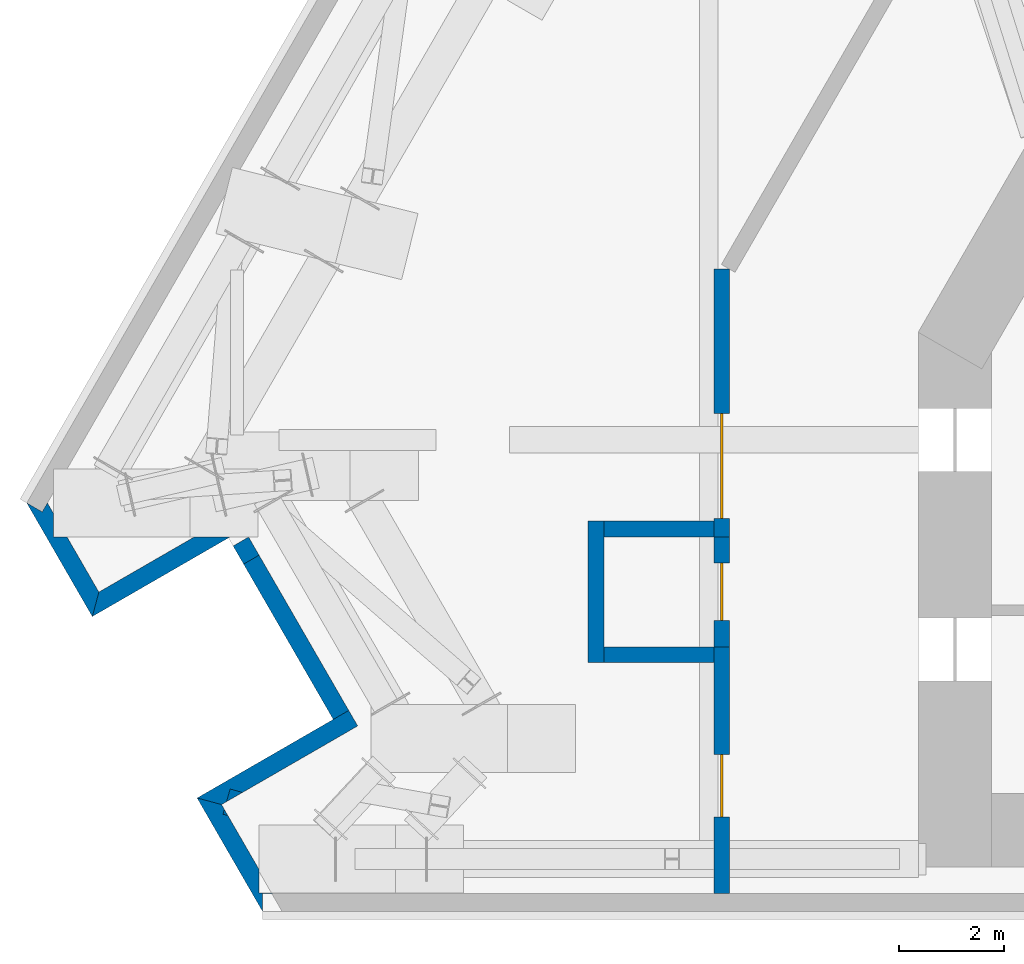
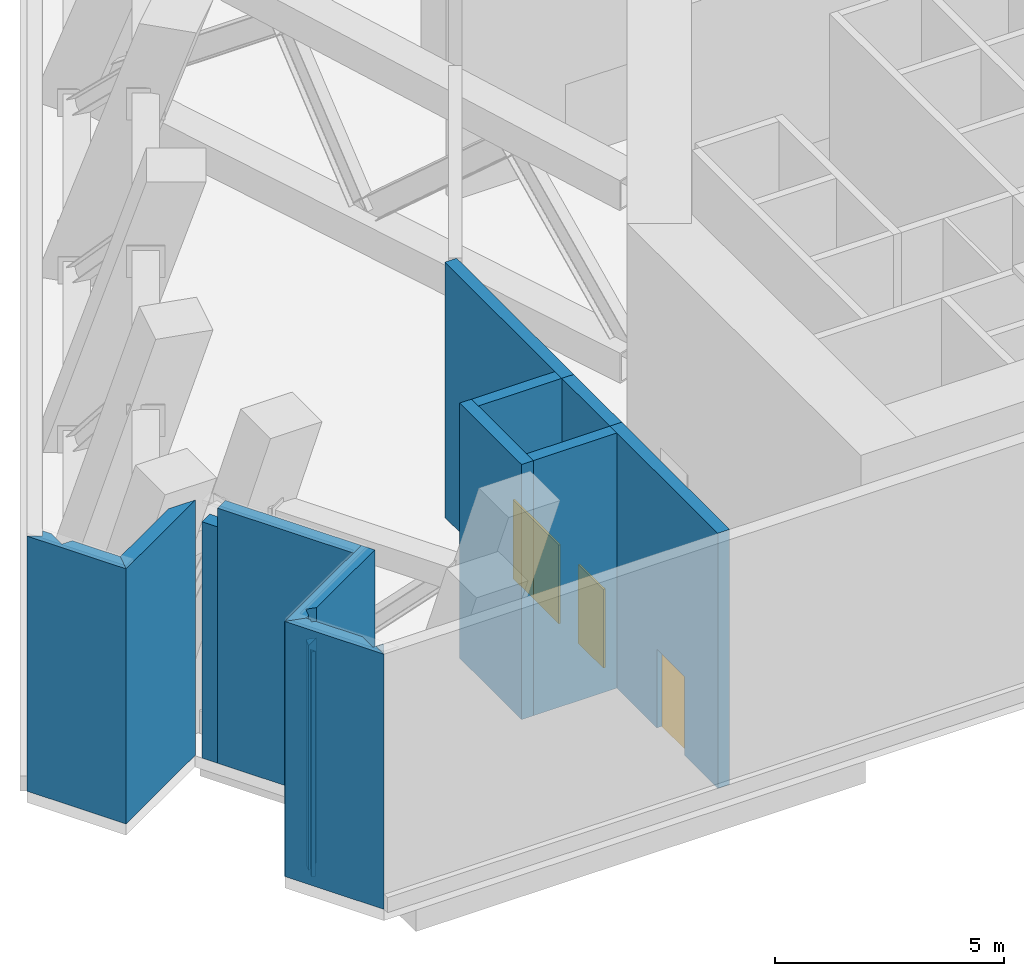
# One storey, part 5 of 12: 14 walls, 3 doors, 3 openings.
"""IFC4 building model written with IfcOpenShell, lengths in metres."""

import ifcopenshell
import ifcopenshell.guid

model = None  # the IFC model being written
_history = None  # IfcOwnerHistory: only IFC2X3 demands one
_inside = {}  # id of a spatial element -> (the spatial element, [elements in it])
_under = {}  # id of a project, library or spatial element -> (it, [spatial elements below it])
_declared = {}  # id of a project -> (the project, [libraries it declares])
_typed = {}  # id of a type object -> (the type object, [elements of that type])
_made_of = {}  # id of a material, layer set ... -> (it, [elements and type objects made of it])


def new_model(schema):
    """Start an empty IFC model of exactly this schema.

    Asked for "IFC4X3", IfcOpenShell would pick the latest addendum, in which some entities
    have other attributes; the version numbers below select the first issue.
    IFC2X3 requires an IfcOwnerHistory on every rooted entity: one is made here for all.
    """
    global model, _history
    if schema == "IFC4X3":
        model = ifcopenshell.file(schema_version=(4, 3, 0, 0))
    else:
        model = ifcopenshell.file(schema=schema)
    _inside.clear()
    _under.clear()
    _declared.clear()
    _typed.clear()
    _made_of.clear()
    _history = None
    if model.schema == "IFC2X3":
        org = make("IfcOrganization", Name="unknown")
        user = make(
            "IfcPersonAndOrganization",
            ThePerson=make("IfcPerson", FamilyName="unknown"),
            TheOrganization=org,
        )
        app = make(
            "IfcApplication",
            ApplicationDeveloper=org,
            Version="unknown",
            ApplicationFullName="unknown",
            ApplicationIdentifier="unknown",
        )
        _history = make(
            "IfcOwnerHistory",
            OwningUser=user,
            OwningApplication=app,
            ChangeAction="ADDED",
            CreationDate=0,
        )
    return model


def make(cls, **values):
    """One entity of the class cls with the attributes given. An attribute that is None is left unset."""
    return model.create_entity(
        cls, **{name: value for name, value in values.items() if value is not None}
    )


def rooted(cls, **values):
    """An entity with a GlobalId (a new one), such as an element, a storey or a relation."""
    return make(cls, GlobalId=ifcopenshell.guid.new(), OwnerHistory=_history, **values)


def si_unit(unit_type, name, prefix=None):
    """IfcSIUnit, for example si_unit("LENGTHUNIT", "METRE", prefix="MILLI")."""
    return make("IfcSIUnit", UnitType=unit_type, Prefix=prefix, Name=name)


def assignment(units):
    """IfcUnitAssignment: the units of a project."""
    return None if units is None else make("IfcUnitAssignment", Units=units)


def point(xyz):
    """IfcCartesianPoint."""
    return None if xyz is None else make("IfcCartesianPoint", Coordinates=xyz)


def direction(xyz):
    """IfcDirection."""
    return None if xyz is None else make("IfcDirection", DirectionRatios=xyz)


def frame(location, z_axis=None, x_axis=None):
    """IfcAxis2Placement3D, a coordinate frame: its origin and axes. An axis left out is left unset."""
    return make(
        "IfcAxis2Placement3D",
        Location=point(location),
        Axis=direction(z_axis),
        RefDirection=direction(x_axis),
    )


def frame_2d(location, x_axis=None):
    """IfcAxis2Placement2D, a coordinate frame in the plane: its origin and x axis."""
    return make(
        "IfcAxis2Placement2D", Location=point(location), RefDirection=direction(x_axis)
    )


def origin():
    """The frame at (0, 0, 0) with its axes left unset."""
    return frame((0.0, 0.0, 0.0))


def place(relative_to, where):
    """IfcLocalPlacement: puts the frame where relative to a parent placement (None: the world)."""
    return make(
        "IfcLocalPlacement", PlacementRelTo=relative_to, RelativePlacement=where
    )


def context(
    kind, dimensions, precision=None, world=None, true_north=None, identifier=None
):
    """IfcGeometricRepresentationContext, for example the 3D "Model" context."""
    return make(
        "IfcGeometricRepresentationContext",
        ContextIdentifier=identifier,
        ContextType=kind,
        CoordinateSpaceDimension=dimensions,
        Precision=precision,
        WorldCoordinateSystem=world,
        TrueNorth=true_north,
    )


def subcontext(parent, identifier, kind, view, scale=None):
    """IfcGeometricRepresentationSubContext, for example "Body" below "Model"."""
    return make(
        "IfcGeometricRepresentationSubContext",
        ContextIdentifier=identifier,
        ContextType=kind,
        ParentContext=parent,
        TargetScale=scale,
        TargetView=view,
    )


def project(units=None, contexts=None):
    """IfcProject with its units and contexts."""
    return rooted(
        "IfcProject",
        Name="project",
        RepresentationContexts=contexts,
        UnitsInContext=assignment(units),
    )


def spatial(cls, under=None, at=None, **own):
    """A site, building, storey or space (cls), placed at a placement, below another one or the project."""
    s = rooted(cls, ObjectPlacement=at, **own)
    if under is not None:
        _under.setdefault(under.id(), (under, []))[1].append(s)
    return s


def polyline(points):
    """IfcPolyline through the points."""
    return make("IfcPolyline", Points=[point(p) for p in points])


def profile(cls, at=None, kind="AREA", **sizes):
    """A parametric profile (cls). Its sizes go by their IFC names, for example OverallWidth=200.0."""
    return make(cls, ProfileType=kind, Position=at, **sizes)


def rectangle(**sizes):
    """IfcRectangleProfileDef."""
    return profile("IfcRectangleProfileDef", **sizes)


def outline(outer, holes=None, kind="AREA"):
    """IfcArbitraryClosedProfileDef: a profile drawn as a closed curve; with holes, ...WithVoids."""
    if holes is None:
        return make("IfcArbitraryClosedProfileDef", ProfileType=kind, OuterCurve=outer)
    return make(
        "IfcArbitraryProfileDefWithVoids",
        ProfileType=kind,
        OuterCurve=outer,
        InnerCurves=holes,
    )


def extrude(swept, where, along, depth):
    """IfcExtrudedAreaSolid: the profile swept, set in the frame where, extruded along a direction by depth."""
    return make(
        "IfcExtrudedAreaSolid",
        SweptArea=swept,
        Position=where,
        ExtrudedDirection=direction(along),
        Depth=depth,
    )


def shape(context_of_items, identifier, shape_type, items):
    """IfcShapeRepresentation: the items that make up one representation, for example the "Body"."""
    return make(
        "IfcShapeRepresentation",
        ContextOfItems=context_of_items,
        RepresentationIdentifier=identifier,
        RepresentationType=shape_type,
        Items=items,
    )


def material(Name=None, Category=None):
    """IfcMaterial."""
    return make("IfcMaterial", Name=Name, Category=Category)


def layer(
    of_material, thickness, ventilated=None, Name=None, Category=None, Priority=None
):
    """IfcMaterialLayer: one layer of a wall or slab, of a material (None: an air gap)."""
    return make(
        "IfcMaterialLayer",
        Material=of_material,
        LayerThickness=thickness,
        IsVentilated=ventilated,
        Name=Name,
        Category=Category,
        Priority=Priority,
    )


def layer_set(layers, Name=None):
    """IfcMaterialLayerSet."""
    return make("IfcMaterialLayerSet", MaterialLayers=layers, LayerSetName=Name)


def made_of(thing, what):
    """Note that an element or type object is made of a material, layer set ...; save() writes the relation."""
    if what is not None:
        _made_of.setdefault(what.id(), (what, []))[1].append(thing)
    return thing


def type_object(cls, material=None, **own):
    """A type object (cls), such as IfcWallType, which elements share."""
    return made_of(rooted(cls, **own), material)


def element(
    cls,
    number,
    at=None,
    inside=None,
    cuts=None,
    type_object=None,
    material=None,
    context=None,
    identifier="Body",
    shape_type=None,
    held_by="IfcProductDefinitionShape",
    body=None,
    shapes=None,
    **own,
):
    """One element of the class cls, such as IfcWall. Its Tag is "e" and its number.

    at: its placement. inside: the storey or other place that contains it. cuts: it is an
    opening in that element (IfcRelVoidsElement). A single representation is given by context,
    identifier, shape_type and body (its items); several are given by shapes. held_by: the class
    of the entity that holds the representations. save() writes the other relations.
    """
    e = rooted(cls, Tag="e%d" % number, ObjectPlacement=at, **own)
    if body is not None:
        shapes = [shape(context, identifier, shape_type, body)]
    if shapes is not None:
        e.Representation = make(held_by, Representations=shapes)
    if inside is not None:
        _inside.setdefault(inside.id(), (inside, []))[1].append(e)
    if cuts is not None:
        rooted(
            "IfcRelVoidsElement", RelatingBuildingElement=cuts, RelatedOpeningElement=e
        )
    if type_object is not None:
        _typed.setdefault(type_object.id(), (type_object, []))[1].append(e)
    return made_of(e, material)


def fill(opening, filler):
    """IfcRelFillsElement: the door or window that sits in an opening."""
    return rooted(
        "IfcRelFillsElement",
        RelatingOpeningElement=opening,
        RelatedBuildingElement=filler,
    )


def aggregate(whole, parts):
    """IfcRelAggregates: a whole, such as a stair, and the parts it consists of."""
    return rooted("IfcRelAggregates", RelatingObject=whole, RelatedObjects=parts)


def save(model, path):
    """Write the relations noted so far, then the file.

    IfcRelAggregates (storeys below a building ...), IfcRelContainedInSpatialStructure (elements
    in a storey), IfcRelDefinesByType, IfcRelAssociatesMaterial and IfcRelDeclares: one each for
    every whole, place, type object, material and project.
    """
    for whole, parts in _under.values():
        aggregate(whole, parts)
    for where, things in _inside.values():
        rooted(
            "IfcRelContainedInSpatialStructure",
            RelatedElements=things,
            RelatingStructure=where,
        )
    for kind, things in _typed.values():
        rooted("IfcRelDefinesByType", RelatedObjects=things, RelatingType=kind)
    for what, things in _made_of.values():
        rooted("IfcRelAssociatesMaterial", RelatedObjects=things, RelatingMaterial=what)
    for by, libraries in _declared.values():
        rooted("IfcRelDeclares", RelatingContext=by, RelatedDefinitions=libraries)
    model.write(path)


model = new_model("IFC4")

# Units and contexts
model_context = context("Model", 3, precision=1e-05, world=origin(), true_north=direction((0.0, 1.0)))
body_context = subcontext(model_context, "Body", "Model", "MODEL_VIEW")
ifc_project = project(units=[si_unit("LENGTHUNIT", "METRE"), si_unit("AREAUNIT", "SQUARE_METRE"), si_unit("VOLUMEUNIT", "CUBIC_METRE"), si_unit("PLANEANGLEUNIT", "RADIAN"), si_unit("MASSUNIT", "GRAM", prefix="KILO")], contexts=[model_context])

# Site, building, storey
site_placement = place(None, origin())
site = spatial("IfcSite", under=ifc_project, at=site_placement, CompositionType="ELEMENT")
building_placement = place(site_placement, origin())
building = spatial("IfcBuilding", under=site, at=building_placement, Name="Fogline Exchange Tower", CompositionType="ELEMENT")
storey_placement = place(building_placement, frame((0.0, 0.0, 88.89990234375)))
storey = spatial("IfcBuildingStorey", under=building, at=storey_placement, Name="L19", CompositionType="ELEMENT", Elevation=88.89990234375)

# Walls
ifc_material_1 = material(Name="Brick masonry", Category="masonry")
ifc_layer_1 = layer(ifc_material_1, 0.340087890625)
ifc_layer_set_1 = layer_set([ifc_layer_1], Name="FW3")
wall_type_1 = type_object("IfcWallType", Name="FW3", PredefinedType="SOLIDWALL", material=ifc_layer_set_1)
wall_1_placement = place(storey_placement, origin())
element("IfcWall", 1, at=wall_1_placement, inside=storey, type_object=wall_type_1, Name="Brick wall L19 SW-c1", PredefinedType="SOLIDWALL", context=body_context, shape_type="SweptSolid", body=[
    extrude(outline(polyline([(-29.760498046875, 5.6279296875), (-31.011474609375, 7.794921875), (-31.010986328125, 7.79541015625), (-30.71630859375, 7.625), (-30.617919921875, 7.79541015625), (-30.505615234375, 7.601318359375), (-30.505615234375, 7.144287109375), (-30.241943359375, 7.144287109375), (-29.63525390625, 6.09375), (-29.760009765625, 5.6279296875), (-29.760498046875, 5.6279296875)])), origin(), (0.0, 0.0, 1.0), 6.800048828125),
])
wall_2_placement = place(storey_placement, origin())
element("IfcWall", 2, at=wall_2_placement, inside=storey, type_object=wall_type_1, Name="Brick wall L19 SW-s1", PredefinedType="SOLIDWALL", context=body_context, shape_type="SweptSolid", body=[
    extrude(outline(polyline([(-27.817626953125, 7.144287109375), (-27.135009765625, 7.144287109375), (-27.162109375, 7.128662109375), (-29.760986328125, 5.628173828125), (-29.76123046875, 5.62841796875), (-29.636474609375, 6.093994140625), (-27.817626953125, 7.144287109375)])), origin(), (0.0, 0.0, 1.0), 6.800048828125),
])
wall_3_placement = place(storey_placement, frame((-26.92578125, 7.05908203125, 0.0), z_axis=(0.0, 0.0, 1.0), x_axis=(0.50002266109, -0.866012320003, 0.0)))
element("IfcWall", 3, at=wall_3_placement, inside=storey, type_object=wall_type_1, Name="Brick wall L19 SW-bk", PredefinedType="SOLIDWALL", context=body_context, shape_type="SweptSolid", body=[
    extrude(rectangle(XDim=0.39892578125, YDim=0.340087890625, at=frame_2d((0.199462890625, 0.0))), origin(), (0.0, 0.0, 1.0), 6.300048828125),
])
wall_4_placement = place(storey_placement, frame((-26.726318359375, 6.713623046875, 0.0), z_axis=(0.0, 0.0, 1.0), x_axis=(0.50002916476, -0.866008564848, 0.0)))
element("IfcWall", 4, at=wall_4_placement, inside=storey, type_object=wall_type_1, Name="Brick wall L19 SW-bk", PredefinedType="SOLIDWALL", context=body_context, shape_type="SweptSolid", body=[
    extrude(rectangle(XDim=3.422119140625, YDim=0.340087890625, at=frame_2d((1.7109375, 0.0))), origin(), (0.0, 0.0, 1.0), 6.800048828125),
])
wall_5_placement = place(storey_placement, origin())
element("IfcWall", 5, at=wall_5_placement, inside=storey, type_object=wall_type_1, Name="Brick wall L19 SW-s2", PredefinedType="SOLIDWALL", context=body_context, shape_type="SweptSolid", body=[
    extrude(outline(polyline([(-27.198974609375, 2.095947265625), (-27.130615234375, 2.337158203125), (-26.89599609375, 2.270751953125), (-27.198974609375, 2.095947265625)])), origin(), (0.0, 0.0, 1.0), 6.0),
])
wall_6_placement = place(storey_placement, origin())
element("IfcWall", 6, at=wall_6_placement, inside=storey, type_object=wall_type_1, Name="Brick wall L19 SW-s2", PredefinedType="SOLIDWALL", context=body_context, shape_type="SweptSolid", body=[
    extrude(outline(polyline([(-25.16259765625, 3.66552734375), (-24.86767578125, 3.8359375), (-24.697021484375, 3.540283203125), (-26.89599609375, 2.270751953125), (-27.130615234375, 2.337158203125), (-27.198974609375, 2.095947265625), (-27.2958984375, 2.0400390625), (-27.76171875, 2.164794921875), (-27.76171875, 2.1650390625), (-25.16259765625, 3.66552734375)])), origin(), (0.0, 0.0, 1.0), 6.800048828125),
])
wall_7_placement = place(storey_placement, origin())
element("IfcWall", 7, at=wall_7_placement, inside=storey, type_object=wall_type_1, Name="Brick wall L19 SW-c2", PredefinedType="SOLIDWALL", context=body_context, shape_type="SweptSolid", body=[
    extrude(outline(polyline([(-27.173583984375, 1.82958984375), (-27.266845703125, 1.856201171875), (-27.2412109375, 1.947021484375), (-27.173583984375, 1.82958984375)])), origin(), (0.0, 0.0, 1.0), 6.0),
])
wall_8_placement = place(storey_placement, origin())
element("IfcWall", 8, at=wall_8_placement, inside=storey, type_object=wall_type_1, Name="Brick wall L19 SW-c2", PredefinedType="SOLIDWALL", context=body_context, shape_type="SweptSolid", body=[
    extrude(outline(polyline([(-26.5830078125, 0.35009765625), (-26.3193359375, 0.35009765625), (-26.31298828125, 0.33935546875), (-26.509765625, 0.33935546875), (-26.509765625, -0.0009765625), (-26.510498046875, -0.001220703125), (-27.761474609375, 2.165771484375), (-27.76123046875, 2.166015625), (-27.295654296875, 2.041015625), (-27.2412109375, 1.947021484375), (-27.266845703125, 1.856201171875), (-27.173583984375, 1.82958984375), (-26.5830078125, 0.80712890625), (-26.5830078125, 0.35009765625)])), origin(), (0.0, 0.0, 1.0), 6.800048828125),
])

# Wall, opening, door
ifc_material_2 = material(Name="Concrete C40", Category="concrete")
ifc_layer_2 = layer(ifc_material_2, 0.300048828125)
ifc_layer_set_2 = layer_set([ifc_layer_2], Name="PP4")
wall_type_2 = type_object("IfcWallType", Name="PP4", PredefinedType="SOLIDWALL", material=ifc_layer_set_2)
wall_9_placement = place(storey_placement, frame((-17.75, 7.14990234375, 0.0), z_axis=(0.0, 0.0, 1.0), x_axis=(0.0, 1.0, 0.0)))
wall_9 = element("IfcWall", 9, at=wall_9_placement, inside=storey, type_object=wall_type_2, Name="PP4 partition", PredefinedType="SOLIDWALL", context=body_context, shape_type="SweptSolid", body=[
    extrude(rectangle(XDim=5.106689453125, YDim=0.300048828125, at=frame_2d((2.55322265625, 0.0))), origin(), (0.0, 0.0, 1.0), 6.800048828125),
])
opening_1_placement = place(wall_9_placement, frame((0.35009765625, 0.0, 0.0)))
opening_1 = element("IfcOpeningElement", 10, at=opening_1_placement, cuts=wall_9, Name="Opening L19-D003", PredefinedType="OPENING", context=body_context, shape_type="SweptSolid", body=[
    extrude(rectangle(XDim=2.0, YDim=2.10009765625, at=frame_2d((1.0, 1.050048828125))), frame((0.0, 0.16015625, 0.0), z_axis=(0.0, -1.0, 0.0), x_axis=(1.0, 0.0, 0.0)), (0.0, 0.0, 1.0), 0.320068359375),
])
ifc_material_3 = material(Name="Steel Q235B", Category="steel")
door_type_1 = type_object("IfcDoorType", Name="PD6", OperationType="DOUBLE_DOOR_SINGLE_SWING", PredefinedType="DOOR", material=ifc_material_3)
door_1_placement = place(opening_1_placement, frame((2.0, 0.0, 0.0), z_axis=(0.0, 0.0, 1.0), x_axis=(-1.0, 0.0, 0.0)))
door_1 = element("IfcDoor", 11, at=door_1_placement, inside=storey, type_object=door_type_1, Name="L19-D003", OperationType="DOUBLE_DOOR_SINGLE_SWING", OverallHeight=2.10009765625, OverallWidth=2.0, PredefinedType="DOOR", context=body_context, shape_type="SweptSolid", body=[
    extrude(rectangle(XDim=2.0, YDim=2.10009765625, at=frame_2d((1.0, 1.050048828125))), frame((0.0, 0.02490234375, 0.0), z_axis=(0.0, -1.0, 0.0), x_axis=(1.0, 0.0, 0.0)), (0.0, 0.0, 1.0), 0.050048828125),
])
fill(opening_1, door_1)

wall_10_placement = place(storey_placement, frame((-17.75, 0.340087890625, 0.0), z_axis=(0.0, 0.0, 1.0), x_axis=(0.0, 1.0, 0.0)))
wall_10 = element("IfcWall", 12, at=wall_10_placement, inside=storey, type_object=wall_type_2, Name="PP4 partition", PredefinedType="SOLIDWALL", context=body_context, shape_type="SweptSolid", body=[
    extrude(rectangle(XDim=4.7099609375, YDim=0.300048828125, at=frame_2d((2.35498046875, 0.0))), origin(), (0.0, 0.0, 1.0), 6.800048828125),
])
opening_2_placement = place(wall_10_placement, frame((1.4599609375, 0.0, 0.0)))
opening_2 = element("IfcOpeningElement", 13, at=opening_2_placement, cuts=wall_10, Name="Opening L19-D004", PredefinedType="OPENING", context=body_context, shape_type="SweptSolid", body=[
    extrude(rectangle(XDim=1.199951171875, YDim=2.10009765625, at=frame_2d((0.60009765625, 1.050048828125))), frame((0.0, 0.16015625, 0.0), z_axis=(0.0, -1.0, 0.0), x_axis=(1.0, 0.0, 0.0)), (0.0, 0.0, 1.0), 0.320068359375),
])
door_type_2 = type_object("IfcDoorType", Name="PD7", OperationType="SINGLE_SWING_LEFT", PredefinedType="DOOR", material=ifc_material_3)
door_2_placement = place(opening_2_placement, frame((1.199951171875, 0.0, 0.0), z_axis=(0.0, 0.0, 1.0), x_axis=(-1.0, 0.0, 0.0)))
door_2 = element("IfcDoor", 14, at=door_2_placement, inside=storey, type_object=door_type_2, Name="L19-D004", OperationType="SINGLE_SWING_RIGHT", OverallHeight=2.10009765625, OverallWidth=1.199951171875, PredefinedType="DOOR", context=body_context, shape_type="SweptSolid", body=[
    extrude(rectangle(XDim=1.199951171875, YDim=2.10009765625, at=frame_2d((0.60009765625, 1.050048828125))), frame((0.0, 0.02490234375, 0.0), z_axis=(0.0, -1.0, 0.0), x_axis=(1.0, 0.0, 0.0)), (0.0, 0.0, 1.0), 0.050048828125),
])
fill(opening_2, door_2)

# Walls
wall_11_placement = place(storey_placement, frame((-20.14990234375, 4.75, 0.0), z_axis=(0.0, 0.0, 1.0), x_axis=(0.0, 1.0, 0.0)))
element("IfcWall", 15, at=wall_11_placement, inside=storey, type_object=wall_type_2, Name="PP4 partition", PredefinedType="SOLIDWALL", context=body_context, shape_type="SweptSolid", body=[
    extrude(rectangle(XDim=2.699951171875, YDim=0.300048828125, at=frame_2d((1.35009765625, 0.0))), origin(), (0.0, 0.0, 1.0), 6.800048828125),
])
wall_12_placement = place(storey_placement, frame((-17.89990234375, 4.89990234375, 0.0), z_axis=(0.0, 0.0, 1.0), x_axis=(-1.0, 0.0, 0.0)))
element("IfcWall", 16, at=wall_12_placement, inside=storey, type_object=wall_type_2, Name="PP4 partition", PredefinedType="SOLIDWALL", context=body_context, shape_type="SweptSolid", body=[
    extrude(rectangle(XDim=2.10009765625, YDim=0.300048828125, at=frame_2d((1.050048828125, 0.0))), origin(), (0.0, 0.0, 1.0), 6.800048828125),
])

# Wall, opening, door
wall_13_placement = place(storey_placement, frame((-17.75, 5.050048828125, 0.0), z_axis=(0.0, 0.0, 1.0), x_axis=(0.0, 1.0, 0.0)))
wall_13 = element("IfcWall", 17, at=wall_13_placement, inside=storey, type_object=wall_type_2, Name="PP4 partition", PredefinedType="SOLIDWALL", context=body_context, shape_type="SweptSolid", body=[
    extrude(rectangle(XDim=2.099853515625, YDim=0.300048828125, at=frame_2d((1.0498046875, 0.0))), origin(), (0.0, 0.0, 1.0), 6.800048828125),
])
opening_3_placement = place(wall_13_placement, frame((0.5, 0.0, 0.0)))
opening_3 = element("IfcOpeningElement", 18, at=opening_3_placement, cuts=wall_13, Name="Opening L19-D001", PredefinedType="OPENING", context=body_context, shape_type="SweptSolid", body=[
    extrude(rectangle(XDim=1.10009765625, YDim=2.10009765625, at=frame_2d((0.550048828125, 1.050048828125))), frame((0.0, 0.16015625, 0.0), z_axis=(0.0, -1.0, 0.0), x_axis=(1.0, 0.0, 0.0)), (0.0, 0.0, 1.0), 0.320068359375),
])
door_type_3 = type_object("IfcDoorType", Name="PD5", OperationType="SINGLE_SWING_LEFT", PredefinedType="DOOR", material=ifc_material_3)
door_3_placement = place(opening_3_placement, origin())
door_3 = element("IfcDoor", 19, at=door_3_placement, inside=storey, type_object=door_type_3, Name="L19-D001", OperationType="SINGLE_SWING_LEFT", OverallHeight=2.10009765625, OverallWidth=1.10009765625, PredefinedType="DOOR", context=body_context, shape_type="SweptSolid", body=[
    extrude(rectangle(XDim=1.10009765625, YDim=2.10009765625, at=frame_2d((0.550048828125, 1.050048828125))), frame((0.0, 0.02490234375, 0.0), z_axis=(0.0, -1.0, 0.0), x_axis=(1.0, 0.0, 0.0)), (0.0, 0.0, 1.0), 0.050048828125),
])
fill(opening_3, door_3)

# Wall
wall_14_placement = place(storey_placement, frame((-20.0, 7.300048828125, 0.0), z_axis=(0.0, 0.0, 1.0), x_axis=(1.0, 0.0, 0.0)))
element("IfcWall", 20, at=wall_14_placement, inside=storey, type_object=wall_type_2, Name="PP4 partition", PredefinedType="SOLIDWALL", context=body_context, shape_type="SweptSolid", body=[
    extrude(rectangle(XDim=2.10009765625, YDim=0.300048828125, at=frame_2d((1.050048828125, 0.0))), origin(), (0.0, 0.0, 1.0), 6.800048828125),
])

save(model, "model.ifc")
